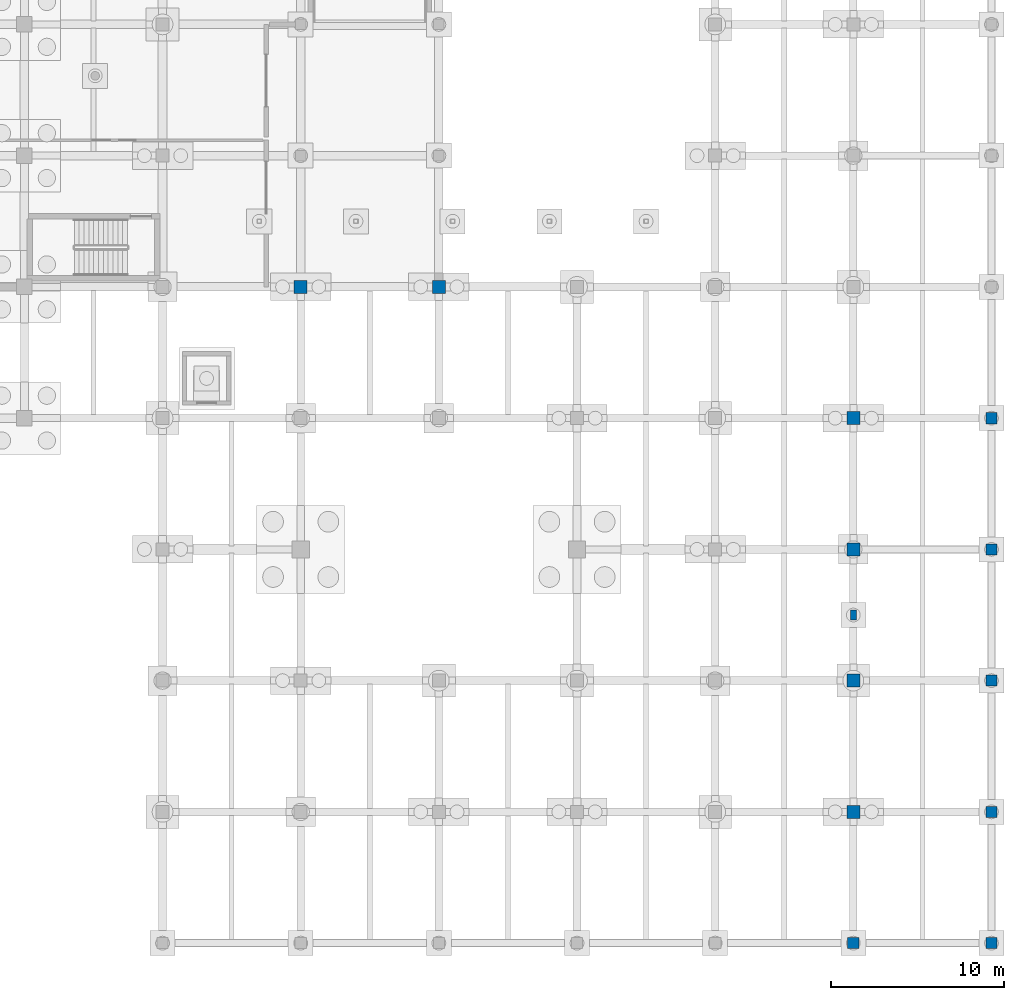
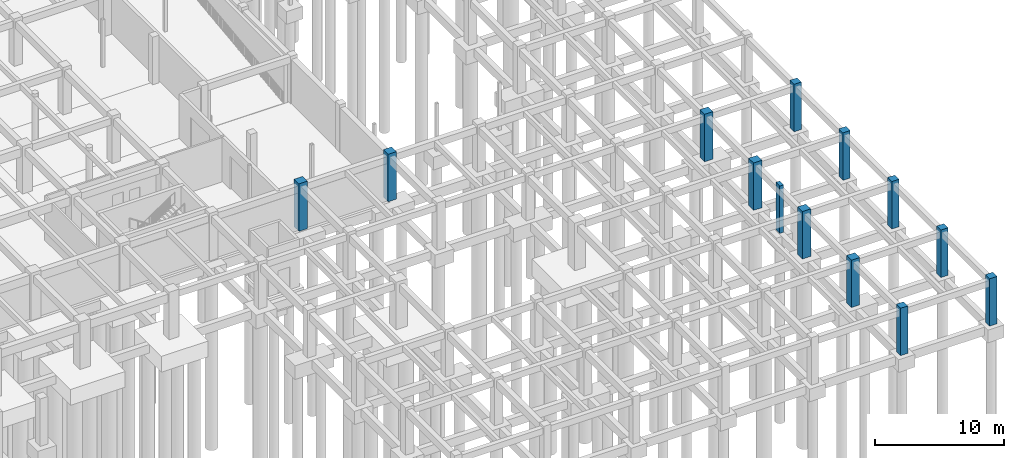
# One storey, part 22 of 49: 13 columns.
"""IFC4 building model written with IfcOpenShell, lengths in metres."""

from ifc_helpers import new_model, si_unit, direction, frame, origin, origin_2d, place, context, subcontext, project, spatial, rectangle, extrude, material, material_profile, profile_set, type_object, element, save


model = new_model("IFC4")

# Units and contexts
model_context = context("Model", 3, precision=1e-05, world=origin(), true_north=direction((0.0, 1.0)))
body_context = subcontext(model_context, "Body", "Model", "MODEL_VIEW")
ifc_project = project(units=[si_unit("LENGTHUNIT", "METRE"), si_unit("AREAUNIT", "SQUARE_METRE"), si_unit("VOLUMEUNIT", "CUBIC_METRE"), si_unit("PLANEANGLEUNIT", "RADIAN"), si_unit("MASSUNIT", "GRAM", prefix="KILO")], contexts=[model_context])

# Site, building, storey
site_placement = place(None, origin())
site = spatial("IfcSite", under=ifc_project, at=site_placement, CompositionType="ELEMENT")
building_placement = place(site_placement, origin())
building = spatial("IfcBuilding", under=site, at=building_placement, Name="Zantavel Square City Hall", CompositionType="ELEMENT")
storey_placement = place(building_placement, frame((0.0, 0.0, -4.5)))
storey = spatial("IfcBuildingStorey", under=building, at=storey_placement, Name="B1", CompositionType="ELEMENT", Elevation=-4.5)

# Columns
ifc_material = material(Name="Concrete C40/50", Category="concrete")
ifc_material_profile_1 = material_profile(ifc_material, rectangle(XDim=0.60009765625, YDim=0.35009765625, at=origin_2d()), Name="RC 600x350")
ifc_profile_set_1 = profile_set([ifc_material_profile_1], Name="Concrete C40/50")
column_type_1 = type_object("IfcColumnType", Name="Colossal Facade Pilaster 600x350 C40/50", PredefinedType="PILASTER", material=ifc_profile_set_1)
column_placement = place(storey_placement, frame((160.0, 19.0, 0.0), z_axis=(0.0, 0.0, 1.0), x_axis=(0.0, 1.0, 0.0)))
element("IfcColumn", 1, at=column_placement, inside=storey, type_object=column_type_1, Name="B1 Facade Pilaster PIL-B1-1600-0190", PredefinedType="PILASTER", context=body_context, shape_type="SweptSolid", body=[
    extrude(rectangle(XDim=0.60009765625, YDim=0.35009765625, at=origin_2d()), origin(), (0.0, 0.0, 1.0), 4.5),
])
ifc_material_profile_2 = material_profile(ifc_material, rectangle(XDim=0.64990234375, YDim=0.64990234375, at=origin_2d()), Name="RC 650x650")
ifc_profile_set_2 = profile_set([ifc_material_profile_2], Name="Concrete C40/50")
column_type_2 = type_object("IfcColumnType", Name="Column RC 650x650 C40/50", PredefinedType="COLUMN", material=ifc_profile_set_2)
for number, where, z_axis, x_axis, name in (
    (2, (160.0, 0.0, 0.0), (0.0, 0.0, 1.0), (1.0, 0.0, 0.0), "B1 Column COL-B1-1600-0000"),
    (3, (168.0, 0.0, 0.0), (0.0, 0.0, 1.0), (1.0, 0.0, 0.0), "B1 Column COL-B1-1680-0000"),
    (4, (168.0, 7.60009765625, 0.0), (0.0, 0.0, 1.0), (1.0, 0.0, 0.0), "B1 Column COL-B1-1680-0076"),
    (5, (168.0, 15.199951171875, 0.0), (0.0, 0.0, 1.0), (1.0, 0.0, 0.0), "B1 Column COL-B1-1680-0152"),
    (6, (168.0, 22.800048828125, 0.0), (0.0, 0.0, 1.0), (1.0, 0.0, 0.0), "B1 Column COL-B1-1680-0228"),
    (7, (168.0, 30.39990234375, 0.0), (0.0, 0.0, 1.0), (1.0, 0.0, 0.0), "B1 Column COL-B1-1680-0304"),
):
    element("IfcColumn", number, at=place(storey_placement, frame(where, z_axis=z_axis, x_axis=x_axis)), inside=storey, type_object=column_type_2, Name=name, PredefinedType="COLUMN", context=body_context, shape_type="SweptSolid", body=[
        extrude(rectangle(XDim=0.64990234375, YDim=0.64990234375, at=origin_2d()), origin(), (0.0, 0.0, 1.0), 4.5),
    ])
ifc_material_profile_3 = material_profile(ifc_material, rectangle(XDim=0.75, YDim=0.75, at=origin_2d()), Name="RC 750x750")
ifc_profile_set_3 = profile_set([ifc_material_profile_3], Name="Concrete C40/50")
column_type_3 = type_object("IfcColumnType", Name="Column RC 750x750 C40/50", PredefinedType="COLUMN", material=ifc_profile_set_3)
for number, where, z_axis, x_axis, name in (
    (8, (128.0, 38.0, 0.0), (0.0, 0.0, 1.0), (1.0, 0.0, 0.0), "B1 Column COL-B1-1280-0380"),
    (9, (136.0, 38.0, 0.0), (0.0, 0.0, 1.0), (1.0, 0.0, 0.0), "B1 Column COL-B1-1360-0380"),
    (10, (160.0, 7.60009765625, 0.0), (0.0, 0.0, 1.0), (1.0, 0.0, 0.0), "B1 Column COL-B1-1600-0076"),
    (11, (160.0, 15.199951171875, 0.0), (0.0, 0.0, 1.0), (1.0, 0.0, 0.0), "B1 Column COL-B1-1600-0152"),
    (12, (160.0, 22.800048828125, 0.0), (0.0, 0.0, 1.0), (1.0, 0.0, 0.0), "B1 Column COL-B1-1600-0228"),
    (13, (160.0, 30.39990234375, 0.0), (0.0, 0.0, 1.0), (1.0, 0.0, 0.0), "B1 Column COL-B1-1600-0304"),
):
    element("IfcColumn", number, at=place(storey_placement, frame(where, z_axis=z_axis, x_axis=x_axis)), inside=storey, type_object=column_type_3, Name=name, PredefinedType="COLUMN", context=body_context, shape_type="SweptSolid", body=[
        extrude(rectangle(XDim=0.75, YDim=0.75, at=origin_2d()), origin(), (0.0, 0.0, 1.0), 4.5),
    ])

save(model, "model.ifc")
